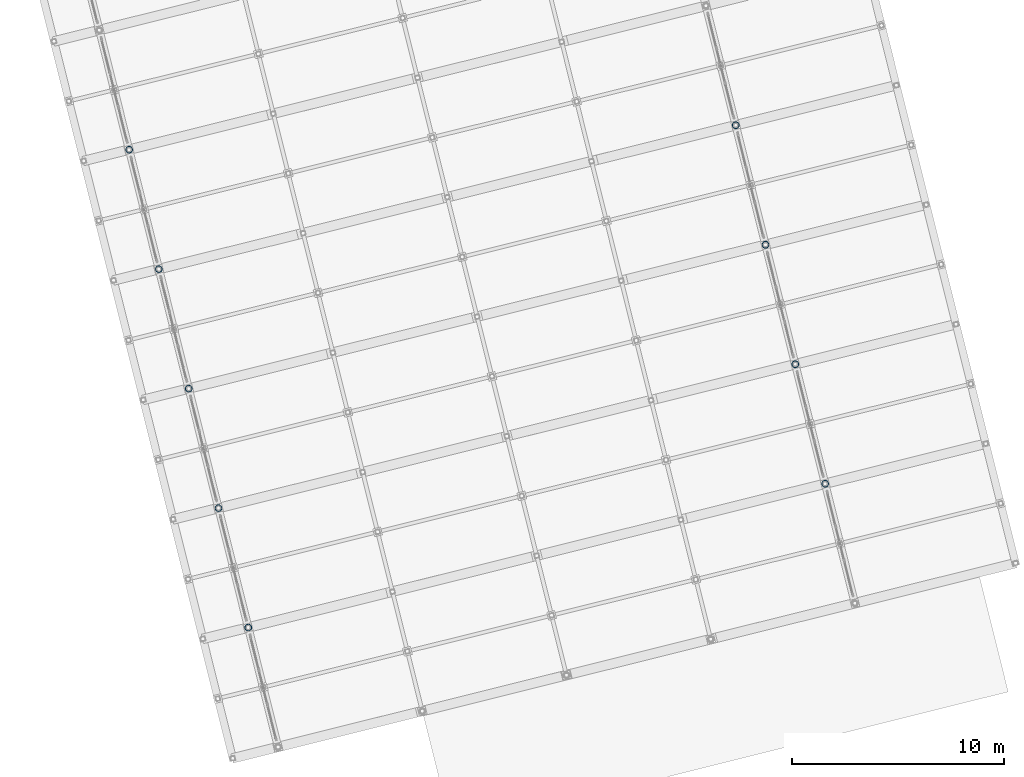
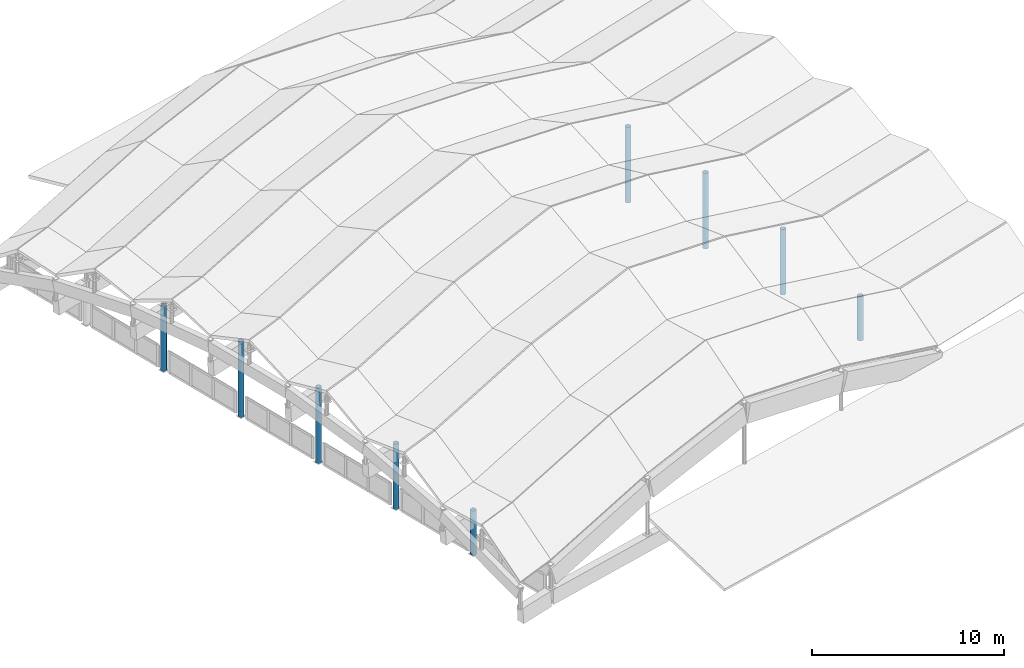
# One storey, part 1 of 65: 9 columns.
"""IFC4 building model written with IfcOpenShell, lengths in metres."""

from ifc_helpers import new_model, si_unit, direction, frame, origin, origin_2d, place, context, subcontext, project, spatial, hollow_circle, extrude, material, material_profile, profile_set, type_object, element, save


model = new_model("IFC4")

# Units and contexts
model_context = context("Model", 3, precision=1e-05, world=origin(), true_north=direction((0.0, 1.0)))
body_context = subcontext(model_context, "Body", "Model", "MODEL_VIEW")
ifc_project = project(units=[si_unit("LENGTHUNIT", "METRE"), si_unit("AREAUNIT", "SQUARE_METRE"), si_unit("VOLUMEUNIT", "CUBIC_METRE"), si_unit("PLANEANGLEUNIT", "RADIAN"), si_unit("MASSUNIT", "GRAM", prefix="KILO")], contexts=[model_context])

# Site, building, storey
site_placement = place(None, origin())
site = spatial("IfcSite", under=ifc_project, at=site_placement, CompositionType="ELEMENT")
building_placement = place(site_placement, origin())
building = spatial("IfcBuilding", under=site, at=building_placement, Name="Cinderway Yard Community Centre", CompositionType="ELEMENT")
storey_placement = place(building_placement, frame((0.0, 0.0, 24.300048828125)))
storey = spatial("IfcBuildingStorey", under=building, at=storey_placement, Name="RF", CompositionType="ELEMENT", Elevation=24.300048828125)

# Columns
ifc_material = material(Name="Steel S355", Category="steel")
ifc_material_profile = material_profile(ifc_material, hollow_circle(Radius=0.161865234375, WallThickness=0.01611328125, at=origin_2d()), Name="Steel S355")
ifc_profile_set = profile_set([ifc_material_profile], Name="Steel S355")
column_type = type_object("IfcColumnType", Name="STR-POST-CHS324", PredefinedType="PILASTER", material=ifc_profile_set)
for number, where, z_axis, x_axis, name in (
    (1, (18.406005859375, 30.7451171875, -11.400146484375), (0.0, 0.0, 1.0), (1.0, 0.0, 0.0), "Main Hall perimeter post W02"),
    (2, (45.574951171875, 37.51806640625, -11.400146484375), (0.0, 0.0, 1.0), (1.0, 0.0, 0.0), "Main Hall perimeter post E02"),
):
    element("IfcColumn", number, at=place(storey_placement, frame(where, z_axis=z_axis, x_axis=x_axis)), inside=storey, type_object=column_type, Name=name, PredefinedType="PILASTER", context=body_context, shape_type="SweptSolid", body=[
        extrude(hollow_circle(Radius=0.161865234375, WallThickness=0.01611328125, at=origin_2d()), origin(), (0.0, 0.0, 1.0), 2.814208984375),
    ])
for number, where, z_axis, x_axis, name in (
    (3, (17.0029296875, 36.3720703125, -11.400146484375), (0.0, 0.0, 1.0), (1.0, 0.0, 0.0), "Main Hall perimeter post W03"),
    (4, (44.1708984375, 43.14599609375, -11.400146484375), (0.0, 0.0, 1.0), (1.0, 0.0, 0.0), "Main Hall perimeter post E03"),
):
    element("IfcColumn", number, at=place(storey_placement, frame(where, z_axis=z_axis, x_axis=x_axis)), inside=storey, type_object=column_type, Name=name, PredefinedType="PILASTER", context=body_context, shape_type="SweptSolid", body=[
        extrude(hollow_circle(Radius=0.161865234375, WallThickness=0.01611328125, at=origin_2d()), origin(), (0.0, 0.0, 1.0), 4.14306640625),
    ])
for number, where, z_axis, x_axis, name in (
    (5, (15.60009765625, 42.0, -11.400146484375), (0.0, 0.0, 1.0), (1.0, 0.0, 0.0), "Main Hall perimeter post W04"),
    (6, (42.76806640625, 48.77392578125, -11.400146484375), (0.0, 0.0, 1.0), (1.0, 0.0, 0.0), "Main Hall perimeter post E04"),
    (7, (14.197021484375, 47.6279296875, -11.400146484375), (0.0, 0.0, 1.0), (1.0, 0.0, 0.0), "Main Hall perimeter post W05"),
    (8, (41.364990234375, 54.402099609375, -11.400146484375), (0.0, 0.0, 1.0), (1.0, 0.0, 0.0), "Main Hall perimeter post E05"),
):
    element("IfcColumn", number, at=place(storey_placement, frame(where, z_axis=z_axis, x_axis=x_axis)), inside=storey, type_object=column_type, Name=name, PredefinedType="PILASTER", context=body_context, shape_type="SweptSolid", body=[
        extrude(hollow_circle(Radius=0.161865234375, WallThickness=0.01611328125, at=origin_2d()), origin(), (0.0, 0.0, 1.0), 4.795166015625),
    ])
column_placement = place(storey_placement, frame((12.7939453125, 53.2548828125, -11.400146484375), z_axis=(0.0, 0.0, 1.0), x_axis=(1.0, 0.0, 0.0)))
element("IfcColumn", 9, at=column_placement, inside=storey, type_object=column_type, Name="Main Hall perimeter post W06", PredefinedType="PILASTER", context=body_context, shape_type="SweptSolid", body=[
    extrude(hollow_circle(Radius=0.161865234375, WallThickness=0.01611328125, at=origin_2d()), origin(), (0.0, 0.0, 1.0), 4.14306640625),
])

save(model, "model.ifc")
